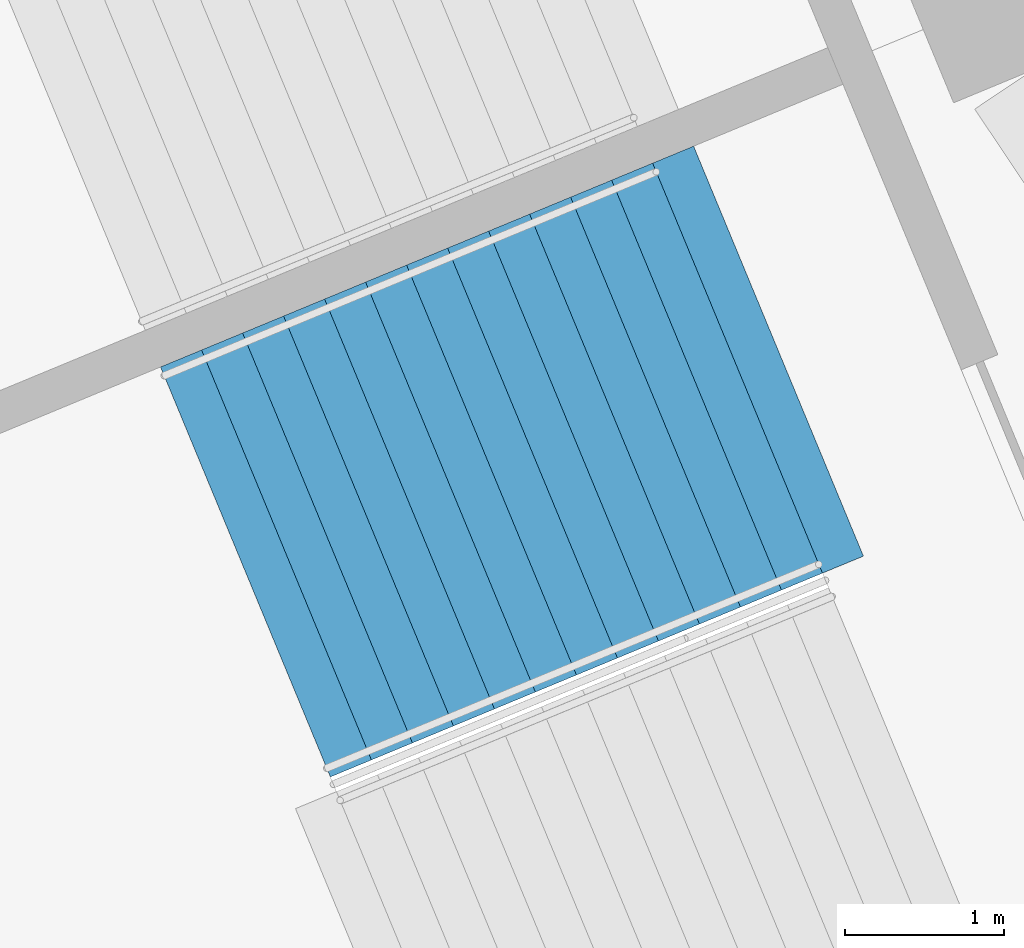
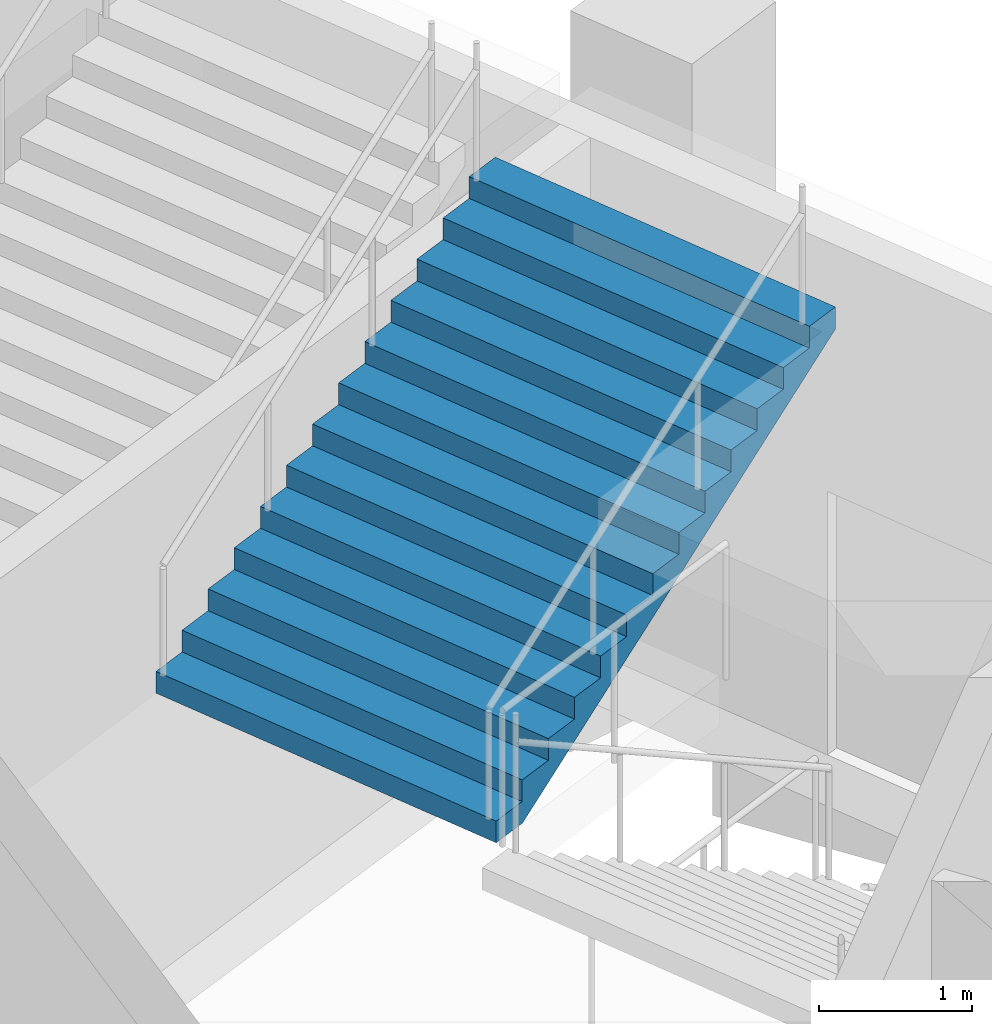
# One storey, part 92 of 177: 1 stair flight, 1 element without a shape of its own.
"""IFC4 building model written with IfcOpenShell, lengths in metres."""

from ifc_helpers import new_model, si_unit, direction, frame, origin, place, context, subcontext, project, spatial, faceted_brep, material, type_object, element, aggregate, save


model = new_model("IFC4")

# Units and contexts
model_context = context("Model", 3, precision=1e-05, world=origin(), true_north=direction((0.0, 1.0)))
body_context = subcontext(model_context, "Body", "Model", "MODEL_VIEW")
ifc_project = project(units=[si_unit("LENGTHUNIT", "METRE"), si_unit("AREAUNIT", "SQUARE_METRE"), si_unit("VOLUMEUNIT", "CUBIC_METRE"), si_unit("PLANEANGLEUNIT", "RADIAN"), si_unit("MASSUNIT", "GRAM", prefix="KILO")], contexts=[model_context])

# Site, building, storey
site_placement = place(None, origin())
site = spatial("IfcSite", under=ifc_project, at=site_placement, CompositionType="ELEMENT")
building_placement = place(site_placement, origin())
building = spatial("IfcBuilding", under=site, at=building_placement, Name="Ogive Plaza Stadium", CompositionType="ELEMENT")
storey_placement = place(building_placement, frame((0.0, 0.0, 18.0)))
storey = spatial("IfcBuildingStorey", under=building, at=storey_placement, Name="L04", CompositionType="ELEMENT", Elevation=18.0)

# Stair, stair flight
ifc_material_1 = material(Name="Concrete C40/50", Category="concrete")
stair_type = type_object("IfcStairType", Name="Exit stair", PredefinedType="STRAIGHT_RUN_STAIR", material=ifc_material_1)
stair_placement = place(storey_placement, origin())
stair = element("IfcStair", 1, at=stair_placement, inside=storey, type_object=stair_type, Name="Exit stair ST20B L04 to L05", PredefinedType="STRAIGHT_RUN_STAIR")
ifc_material_2 = material(Name="Concrete C40/50", Category="concrete")
stair_flight_type = type_object("IfcStairFlightType", Name="Exit stair flight", PredefinedType="STRAIGHT", material=ifc_material_2)
stair_flight_placement = place(storey_placement, frame((-75.64697265625, -71.4013671875, 2.25), z_axis=(0.0, 0.0, 1.0), x_axis=(0.923879532511, 0.382683432365, 0.0)))
stair_flight = element("IfcStairFlight", 2, at=stair_flight_placement, type_object=stair_flight_type, Name="ST20B flight 2", NumberOfRisers=13, NumberOfTreads=12, PredefinedType="STRAIGHT", RiserHeight=0.173076923, TreadLength=0.28, context=body_context, shape_type="Brep", body=[
    faceted_brep([(0.28515625, -1.39990234375, 0.0), (3.639892578125, -1.39990234375, 2.07373046875), (3.639892578125, -1.39990234375, 2.25), (3.360107421875, -1.39990234375, 2.25), (3.360107421875, -1.39990234375, 2.076904296875), (3.080078125, -1.39990234375, 2.076904296875), (3.080078125, -1.39990234375, 1.90380859375), (2.800048828125, -1.39990234375, 1.90380859375), (2.800048828125, -1.39990234375, 1.730712890625), (2.52001953125, -1.39990234375, 1.730712890625), (2.52001953125, -1.39990234375, 1.5576171875), (2.239990234375, -1.39990234375, 1.5576171875), (2.239990234375, -1.39990234375, 1.384521484375), (1.9599609375, -1.39990234375, 1.384521484375), (1.9599609375, -1.39990234375, 1.21142578125), (1.679931640625, -1.39990234375, 1.21142578125), (1.679931640625, -1.39990234375, 1.03857421875), (1.39990234375, -1.39990234375, 1.03857421875), (1.39990234375, -1.39990234375, 0.865478515625), (1.1201171875, -1.39990234375, 0.865478515625), (1.1201171875, -1.39990234375, 0.6923828125), (0.840087890625, -1.39990234375, 0.6923828125), (0.840087890625, -1.39990234375, 0.519287109375), (0.56005859375, -1.39990234375, 0.519287109375), (0.56005859375, -1.39990234375, 0.34619140625), (0.280029296875, -1.39990234375, 0.34619140625), (0.280029296875, -1.39990234375, 0.173095703125), (0.0, -1.39990234375, 0.173095703125), (0.0, -1.39990234375, 0.0), (0.0, 1.39990234375, 0.0), (0.0, 1.39990234375, 0.173095703125), (0.280029296875, 1.39990234375, 0.173095703125), (0.280029296875, 1.39990234375, 0.34619140625), (0.56005859375, 1.39990234375, 0.34619140625), (0.56005859375, 1.39990234375, 0.519287109375), (0.840087890625, 1.39990234375, 0.519287109375), (0.840087890625, 1.39990234375, 0.6923828125), (1.1201171875, 1.39990234375, 0.6923828125), (1.1201171875, 1.39990234375, 0.865478515625), (1.39990234375, 1.39990234375, 0.865478515625), (1.39990234375, 1.39990234375, 1.03857421875), (1.679931640625, 1.39990234375, 1.03857421875), (1.679931640625, 1.39990234375, 1.21142578125), (1.9599609375, 1.39990234375, 1.21142578125), (1.9599609375, 1.39990234375, 1.384521484375), (2.239990234375, 1.39990234375, 1.384521484375), (2.239990234375, 1.39990234375, 1.5576171875), (2.52001953125, 1.39990234375, 1.5576171875), (2.52001953125, 1.39990234375, 1.730712890625), (2.800048828125, 1.39990234375, 1.730712890625), (2.800048828125, 1.39990234375, 1.90380859375), (3.080078125, 1.39990234375, 1.90380859375), (3.080078125, 1.39990234375, 2.076904296875), (3.360107421875, 1.39990234375, 2.076904296875), (3.360107421875, 1.39990234375, 2.25), (3.639892578125, 1.39990234375, 2.25), (3.639892578125, 1.39990234375, 2.07373046875), (0.28515625, 1.39990234375, 0.0), (0.28515625, -1.0888671875, 0.0), (3.639892578125, -1.0888671875, 2.07373046875), (0.28515625, -0.77783203125, 0.0), (3.639892578125, -0.77783203125, 2.07373046875), (0.28515625, -0.466796875, 0.0), (3.639892578125, -0.466796875, 2.07373046875), (0.28515625, -0.155517578125, 0.0), (3.639892578125, -0.155517578125, 2.07373046875), (0.28515625, 0.155517578125, 0.0), (3.639892578125, 0.155517578125, 2.07373046875), (0.28515625, 0.466796875, 0.0), (3.639892578125, 0.466796875, 2.07373046875), (0.28515625, 0.77783203125, 0.0), (3.639892578125, 0.77783203125, 2.07373046875), (0.28515625, 1.0888671875, 0.0), (3.639892578125, 1.0888671875, 2.07373046875), (3.639892578125, -1.0888671875, 2.25), (3.639892578125, -0.77783203125, 2.25), (3.639892578125, -0.466796875, 2.25), (3.639892578125, -0.155517578125, 2.25), (3.639892578125, 0.155517578125, 2.25), (3.639892578125, 0.466796875, 2.25), (3.639892578125, 0.77783203125, 2.25), (3.639892578125, 1.0888671875, 2.25), (3.360107421875, -1.0888671875, 2.25), (3.360107421875, -0.77783203125, 2.25), (3.360107421875, -0.466796875, 2.25), (3.360107421875, -0.155517578125, 2.25), (3.360107421875, 0.155517578125, 2.25), (3.360107421875, 0.466796875, 2.25), (3.360107421875, 0.77783203125, 2.25), (3.360107421875, 1.0888671875, 2.25), (3.360107421875, -1.0888671875, 2.076904296875), (3.360107421875, -0.77783203125, 2.076904296875), (3.360107421875, -0.466796875, 2.076904296875), (3.360107421875, -0.155517578125, 2.076904296875), (3.360107421875, 0.155517578125, 2.076904296875), (3.360107421875, 0.466796875, 2.076904296875), (3.360107421875, 0.77783203125, 2.076904296875), (3.360107421875, 1.0888671875, 2.076904296875), (3.080078125, -1.0888671875, 2.076904296875), (3.080078125, -0.77783203125, 2.076904296875), (3.080078125, -0.466796875, 2.076904296875), (3.080078125, -0.155517578125, 2.076904296875), (3.080078125, 0.155517578125, 2.076904296875), (3.080078125, 0.466796875, 2.076904296875), (3.080078125, 0.77783203125, 2.076904296875), (3.080078125, 1.0888671875, 2.076904296875), (3.080078125, -1.0888671875, 1.90380859375), (3.080078125, -0.77783203125, 1.90380859375), (3.080078125, -0.466796875, 1.90380859375), (3.080078125, -0.155517578125, 1.90380859375), (3.080078125, 0.155517578125, 1.90380859375), (3.080078125, 0.466796875, 1.90380859375), (3.080078125, 0.77783203125, 1.90380859375), (3.080078125, 1.0888671875, 1.90380859375), (2.800048828125, -1.0888671875, 1.90380859375), (2.800048828125, -0.77783203125, 1.90380859375), (2.800048828125, -0.466796875, 1.90380859375), (2.800048828125, -0.155517578125, 1.90380859375), (2.800048828125, 0.155517578125, 1.90380859375), (2.800048828125, 0.466796875, 1.90380859375), (2.800048828125, 0.77783203125, 1.90380859375), (2.800048828125, 1.0888671875, 1.90380859375), (2.800048828125, -1.0888671875, 1.730712890625), (2.800048828125, -0.77783203125, 1.730712890625), (2.800048828125, -0.466796875, 1.730712890625), (2.800048828125, -0.155517578125, 1.730712890625), (2.800048828125, 0.155517578125, 1.730712890625), (2.800048828125, 0.466796875, 1.730712890625), (2.800048828125, 0.77783203125, 1.730712890625), (2.800048828125, 1.0888671875, 1.730712890625), (2.52001953125, -1.0888671875, 1.730712890625), (2.52001953125, -0.77783203125, 1.730712890625), (2.52001953125, -0.466796875, 1.730712890625), (2.52001953125, -0.155517578125, 1.730712890625), (2.52001953125, 0.155517578125, 1.730712890625), (2.52001953125, 0.466796875, 1.730712890625), (2.52001953125, 0.77783203125, 1.730712890625), (2.52001953125, 1.0888671875, 1.730712890625), (2.52001953125, -1.0888671875, 1.5576171875), (2.52001953125, -0.77783203125, 1.5576171875), (2.52001953125, -0.466796875, 1.5576171875), (2.52001953125, -0.155517578125, 1.5576171875), (2.52001953125, 0.155517578125, 1.5576171875), (2.52001953125, 0.466796875, 1.5576171875), (2.52001953125, 0.77783203125, 1.5576171875), (2.52001953125, 1.0888671875, 1.5576171875), (2.239990234375, -1.0888671875, 1.5576171875), (2.239990234375, -0.77783203125, 1.5576171875), (2.239990234375, -0.466796875, 1.5576171875), (2.239990234375, -0.155517578125, 1.5576171875), (2.239990234375, 0.155517578125, 1.5576171875), (2.239990234375, 0.466796875, 1.5576171875), (2.239990234375, 0.77783203125, 1.5576171875), (2.239990234375, 1.0888671875, 1.5576171875), (2.239990234375, -1.0888671875, 1.384521484375), (2.239990234375, -0.77783203125, 1.384521484375), (2.239990234375, -0.466796875, 1.384521484375), (2.239990234375, -0.155517578125, 1.384521484375), (2.239990234375, 0.155517578125, 1.384521484375), (2.239990234375, 0.466796875, 1.384521484375), (2.239990234375, 0.77783203125, 1.384521484375), (2.239990234375, 1.0888671875, 1.384521484375), (1.9599609375, -1.0888671875, 1.384521484375), (1.9599609375, -0.77783203125, 1.384521484375), (1.9599609375, -0.466796875, 1.384521484375), (1.9599609375, -0.155517578125, 1.384521484375), (1.9599609375, 0.155517578125, 1.384521484375), (1.9599609375, 0.466796875, 1.384521484375), (1.9599609375, 0.77783203125, 1.384521484375), (1.9599609375, 1.0888671875, 1.384521484375), (1.9599609375, -1.0888671875, 1.21142578125), (1.9599609375, -0.77783203125, 1.21142578125), (1.9599609375, -0.466796875, 1.21142578125), (1.9599609375, -0.155517578125, 1.21142578125), (1.9599609375, 0.155517578125, 1.21142578125), (1.9599609375, 0.466796875, 1.21142578125), (1.9599609375, 0.77783203125, 1.21142578125), (1.9599609375, 1.0888671875, 1.21142578125), (1.679931640625, -1.0888671875, 1.21142578125), (1.679931640625, -0.77783203125, 1.21142578125), (1.679931640625, -0.466796875, 1.21142578125), (1.679931640625, -0.155517578125, 1.21142578125), (1.679931640625, 0.155517578125, 1.21142578125), (1.679931640625, 0.466796875, 1.21142578125), (1.679931640625, 0.77783203125, 1.21142578125), (1.679931640625, 1.0888671875, 1.21142578125), (1.679931640625, -1.0888671875, 1.03857421875), (1.679931640625, -0.77783203125, 1.03857421875), (1.679931640625, -0.466796875, 1.03857421875), (1.679931640625, -0.155517578125, 1.03857421875), (1.679931640625, 0.155517578125, 1.03857421875), (1.679931640625, 0.466796875, 1.03857421875), (1.679931640625, 0.77783203125, 1.03857421875), (1.679931640625, 1.0888671875, 1.03857421875), (1.39990234375, -1.0888671875, 1.03857421875), (1.39990234375, -0.77783203125, 1.03857421875), (1.39990234375, -0.466796875, 1.03857421875), (1.39990234375, -0.155517578125, 1.03857421875), (1.39990234375, 0.155517578125, 1.03857421875), (1.39990234375, 0.466796875, 1.03857421875), (1.39990234375, 0.77783203125, 1.03857421875), (1.39990234375, 1.0888671875, 1.03857421875), (1.39990234375, -1.0888671875, 0.865478515625), (1.39990234375, -0.77783203125, 0.865478515625), (1.39990234375, -0.466796875, 0.865478515625), (1.39990234375, -0.155517578125, 0.865478515625), (1.39990234375, 0.155517578125, 0.865478515625), (1.39990234375, 0.466796875, 0.865478515625), (1.39990234375, 0.77783203125, 0.865478515625), (1.39990234375, 1.0888671875, 0.865478515625), (1.1201171875, -1.0888671875, 0.865478515625), (1.1201171875, -0.77783203125, 0.865478515625), (1.1201171875, -0.466796875, 0.865478515625), (1.1201171875, -0.155517578125, 0.865478515625), (1.1201171875, 0.155517578125, 0.865478515625), (1.1201171875, 0.466796875, 0.865478515625), (1.1201171875, 0.77783203125, 0.865478515625), (1.1201171875, 1.0888671875, 0.865478515625), (1.1201171875, -1.0888671875, 0.6923828125), (1.1201171875, -0.77783203125, 0.6923828125), (1.1201171875, -0.466796875, 0.6923828125), (1.1201171875, -0.155517578125, 0.6923828125), (1.1201171875, 0.155517578125, 0.6923828125), (1.1201171875, 0.466796875, 0.6923828125), (1.1201171875, 0.77783203125, 0.6923828125), (1.1201171875, 1.0888671875, 0.6923828125), (0.840087890625, -1.0888671875, 0.6923828125), (0.840087890625, -0.77783203125, 0.6923828125), (0.840087890625, -0.466796875, 0.6923828125), (0.840087890625, -0.155517578125, 0.6923828125), (0.840087890625, 0.155517578125, 0.6923828125), (0.840087890625, 0.466796875, 0.6923828125), (0.840087890625, 0.77783203125, 0.6923828125), (0.840087890625, 1.0888671875, 0.6923828125), (0.840087890625, -1.0888671875, 0.519287109375), (0.840087890625, -0.77783203125, 0.519287109375), (0.840087890625, -0.466796875, 0.519287109375), (0.840087890625, -0.155517578125, 0.519287109375), (0.840087890625, 0.155517578125, 0.519287109375), (0.840087890625, 0.466796875, 0.519287109375), (0.840087890625, 0.77783203125, 0.519287109375), (0.840087890625, 1.0888671875, 0.519287109375), (0.56005859375, -1.0888671875, 0.519287109375), (0.56005859375, -0.77783203125, 0.519287109375), (0.56005859375, -0.466796875, 0.519287109375), (0.56005859375, -0.155517578125, 0.519287109375), (0.56005859375, 0.155517578125, 0.519287109375), (0.56005859375, 0.466796875, 0.519287109375), (0.56005859375, 0.77783203125, 0.519287109375), (0.56005859375, 1.0888671875, 0.519287109375), (0.56005859375, -1.0888671875, 0.34619140625), (0.56005859375, -0.77783203125, 0.34619140625), (0.56005859375, -0.466796875, 0.34619140625), (0.56005859375, -0.155517578125, 0.34619140625), (0.56005859375, 0.155517578125, 0.34619140625), (0.56005859375, 0.466796875, 0.34619140625), (0.56005859375, 0.77783203125, 0.34619140625), (0.56005859375, 1.0888671875, 0.34619140625), (0.280029296875, -1.0888671875, 0.34619140625), (0.280029296875, -0.77783203125, 0.34619140625), (0.280029296875, -0.466796875, 0.34619140625), (0.280029296875, -0.155517578125, 0.34619140625), (0.280029296875, 0.155517578125, 0.34619140625), (0.280029296875, 0.466796875, 0.34619140625), (0.280029296875, 0.77783203125, 0.34619140625), (0.280029296875, 1.0888671875, 0.34619140625), (0.280029296875, -1.0888671875, 0.173095703125), (0.280029296875, -0.77783203125, 0.173095703125), (0.280029296875, -0.466796875, 0.173095703125), (0.280029296875, -0.155517578125, 0.173095703125), (0.280029296875, 0.155517578125, 0.173095703125), (0.280029296875, 0.466796875, 0.173095703125), (0.280029296875, 0.77783203125, 0.173095703125), (0.280029296875, 1.0888671875, 0.173095703125), (0.0, -1.0888671875, 0.173095703125), (0.0, -0.77783203125, 0.173095703125), (0.0, -0.466796875, 0.173095703125), (0.0, -0.155517578125, 0.173095703125), (0.0, 0.155517578125, 0.173095703125), (0.0, 0.466796875, 0.173095703125), (0.0, 0.77783203125, 0.173095703125), (0.0, 1.0888671875, 0.173095703125), (0.0, -1.0888671875, 0.0), (0.0, -0.77783203125, 0.0), (0.0, -0.466796875, 0.0), (0.0, -0.155517578125, 0.0), (0.0, 0.155517578125, 0.0), (0.0, 0.466796875, 0.0), (0.0, 0.77783203125, 0.0), (0.0, 1.0888671875, 0.0)], [[[0, 1, 2, 3, 4, 5, 6, 7, 8, 9, 10, 11, 12, 13, 14, 15, 16, 17, 18, 19, 20, 21, 22, 23, 24, 25, 26, 27, 28]], [[29, 30, 31, 32, 33, 34, 35, 36, 37, 38, 39, 40, 41, 42, 43, 44, 45, 46, 47, 48, 49, 50, 51, 52, 53, 54, 55, 56, 57]], [[0, 58, 59, 1]], [[58, 60, 61, 59]], [[60, 62, 63, 61]], [[62, 64, 65, 63]], [[64, 66, 67, 65]], [[66, 68, 69, 67]], [[68, 70, 71, 69]], [[70, 72, 73, 71]], [[72, 57, 56, 73]], [[1, 59, 74, 2]], [[59, 61, 75, 74]], [[61, 63, 76, 75]], [[63, 65, 77, 76]], [[65, 67, 78, 77]], [[67, 69, 79, 78]], [[69, 71, 80, 79]], [[71, 73, 81, 80]], [[73, 56, 55, 81]], [[2, 74, 82, 3]], [[74, 75, 83, 82]], [[75, 76, 84, 83]], [[76, 77, 85, 84]], [[77, 78, 86, 85]], [[78, 79, 87, 86]], [[79, 80, 88, 87]], [[80, 81, 89, 88]], [[81, 55, 54, 89]], [[3, 82, 90, 4]], [[82, 83, 91, 90]], [[83, 84, 92, 91]], [[84, 85, 93, 92]], [[85, 86, 94, 93]], [[86, 87, 95, 94]], [[87, 88, 96, 95]], [[88, 89, 97, 96]], [[89, 54, 53, 97]], [[4, 90, 98, 5]], [[90, 91, 99, 98]], [[91, 92, 100, 99]], [[92, 93, 101, 100]], [[93, 94, 102, 101]], [[94, 95, 103, 102]], [[95, 96, 104, 103]], [[96, 97, 105, 104]], [[97, 53, 52, 105]], [[5, 98, 106, 6]], [[98, 99, 107, 106]], [[99, 100, 108, 107]], [[100, 101, 109, 108]], [[101, 102, 110, 109]], [[102, 103, 111, 110]], [[103, 104, 112, 111]], [[104, 105, 113, 112]], [[105, 52, 51, 113]], [[6, 106, 114, 7]], [[106, 107, 115, 114]], [[107, 108, 116, 115]], [[108, 109, 117, 116]], [[109, 110, 118, 117]], [[110, 111, 119, 118]], [[111, 112, 120, 119]], [[112, 113, 121, 120]], [[113, 51, 50, 121]], [[7, 114, 122, 8]], [[114, 115, 123, 122]], [[115, 116, 124, 123]], [[116, 117, 125, 124]], [[117, 118, 126, 125]], [[118, 119, 127, 126]], [[119, 120, 128, 127]], [[120, 121, 129, 128]], [[121, 50, 49, 129]], [[8, 122, 130, 9]], [[122, 123, 131, 130]], [[123, 124, 132, 131]], [[124, 125, 133, 132]], [[125, 126, 134, 133]], [[126, 127, 135, 134]], [[127, 128, 136, 135]], [[128, 129, 137, 136]], [[129, 49, 48, 137]], [[9, 130, 138, 10]], [[130, 131, 139, 138]], [[131, 132, 140, 139]], [[132, 133, 141, 140]], [[133, 134, 142, 141]], [[134, 135, 143, 142]], [[135, 136, 144, 143]], [[136, 137, 145, 144]], [[137, 48, 47, 145]], [[10, 138, 146, 11]], [[138, 139, 147, 146]], [[139, 140, 148, 147]], [[140, 141, 149, 148]], [[141, 142, 150, 149]], [[142, 143, 151, 150]], [[143, 144, 152, 151]], [[144, 145, 153, 152]], [[145, 47, 46, 153]], [[11, 146, 154, 12]], [[146, 147, 155, 154]], [[147, 148, 156, 155]], [[148, 149, 157, 156]], [[149, 150, 158, 157]], [[150, 151, 159, 158]], [[151, 152, 160, 159]], [[152, 153, 161, 160]], [[153, 46, 45, 161]], [[12, 154, 162, 13]], [[154, 155, 163, 162]], [[155, 156, 164, 163]], [[156, 157, 165, 164]], [[157, 158, 166, 165]], [[158, 159, 167, 166]], [[159, 160, 168, 167]], [[160, 161, 169, 168]], [[161, 45, 44, 169]], [[13, 162, 170, 14]], [[162, 163, 171, 170]], [[163, 164, 172, 171]], [[164, 165, 173, 172]], [[165, 166, 174, 173]], [[166, 167, 175, 174]], [[167, 168, 176, 175]], [[168, 169, 177, 176]], [[169, 44, 43, 177]], [[14, 170, 178, 15]], [[170, 171, 179, 178]], [[171, 172, 180, 179]], [[172, 173, 181, 180]], [[173, 174, 182, 181]], [[174, 175, 183, 182]], [[175, 176, 184, 183]], [[176, 177, 185, 184]], [[177, 43, 42, 185]], [[15, 178, 186, 16]], [[178, 179, 187, 186]], [[179, 180, 188, 187]], [[180, 181, 189, 188]], [[181, 182, 190, 189]], [[182, 183, 191, 190]], [[183, 184, 192, 191]], [[184, 185, 193, 192]], [[185, 42, 41, 193]], [[16, 186, 194, 17]], [[186, 187, 195, 194]], [[187, 188, 196, 195]], [[188, 189, 197, 196]], [[189, 190, 198, 197]], [[190, 191, 199, 198]], [[191, 192, 200, 199]], [[192, 193, 201, 200]], [[193, 41, 40, 201]], [[17, 194, 202, 18]], [[194, 195, 203, 202]], [[195, 196, 204, 203]], [[196, 197, 205, 204]], [[197, 198, 206, 205]], [[198, 199, 207, 206]], [[199, 200, 208, 207]], [[200, 201, 209, 208]], [[201, 40, 39, 209]], [[18, 202, 210, 19]], [[202, 203, 211, 210]], [[203, 204, 212, 211]], [[204, 205, 213, 212]], [[205, 206, 214, 213]], [[206, 207, 215, 214]], [[207, 208, 216, 215]], [[208, 209, 217, 216]], [[209, 39, 38, 217]], [[19, 210, 218, 20]], [[210, 211, 219, 218]], [[211, 212, 220, 219]], [[212, 213, 221, 220]], [[213, 214, 222, 221]], [[214, 215, 223, 222]], [[215, 216, 224, 223]], [[216, 217, 225, 224]], [[217, 38, 37, 225]], [[20, 218, 226, 21]], [[218, 219, 227, 226]], [[219, 220, 228, 227]], [[220, 221, 229, 228]], [[221, 222, 230, 229]], [[222, 223, 231, 230]], [[223, 224, 232, 231]], [[224, 225, 233, 232]], [[225, 37, 36, 233]], [[21, 226, 234, 22]], [[226, 227, 235, 234]], [[227, 228, 236, 235]], [[228, 229, 237, 236]], [[229, 230, 238, 237]], [[230, 231, 239, 238]], [[231, 232, 240, 239]], [[232, 233, 241, 240]], [[233, 36, 35, 241]], [[22, 234, 242, 23]], [[234, 235, 243, 242]], [[235, 236, 244, 243]], [[236, 237, 245, 244]], [[237, 238, 246, 245]], [[238, 239, 247, 246]], [[239, 240, 248, 247]], [[240, 241, 249, 248]], [[241, 35, 34, 249]], [[23, 242, 250, 24]], [[242, 243, 251, 250]], [[243, 244, 252, 251]], [[244, 245, 253, 252]], [[245, 246, 254, 253]], [[246, 247, 255, 254]], [[247, 248, 256, 255]], [[248, 249, 257, 256]], [[249, 34, 33, 257]], [[24, 250, 258, 25]], [[250, 251, 259, 258]], [[251, 252, 260, 259]], [[252, 253, 261, 260]], [[253, 254, 262, 261]], [[254, 255, 263, 262]], [[255, 256, 264, 263]], [[256, 257, 265, 264]], [[257, 33, 32, 265]], [[25, 258, 266, 26]], [[258, 259, 267, 266]], [[259, 260, 268, 267]], [[260, 261, 269, 268]], [[261, 262, 270, 269]], [[262, 263, 271, 270]], [[263, 264, 272, 271]], [[264, 265, 273, 272]], [[265, 32, 31, 273]], [[26, 266, 274, 27]], [[266, 267, 275, 274]], [[267, 268, 276, 275]], [[268, 269, 277, 276]], [[269, 270, 278, 277]], [[270, 271, 279, 278]], [[271, 272, 280, 279]], [[272, 273, 281, 280]], [[273, 31, 30, 281]], [[27, 274, 282, 28]], [[274, 275, 283, 282]], [[275, 276, 284, 283]], [[276, 277, 285, 284]], [[277, 278, 286, 285]], [[278, 279, 287, 286]], [[279, 280, 288, 287]], [[280, 281, 289, 288]], [[281, 30, 29, 289]], [[28, 282, 58, 0]], [[282, 283, 60, 58]], [[283, 284, 62, 60]], [[284, 285, 64, 62]], [[285, 286, 66, 64]], [[286, 287, 68, 66]], [[287, 288, 70, 68]], [[288, 289, 72, 70]], [[289, 29, 57, 72]]]),
])
aggregate(stair, [stair_flight])

save(model, "model.ifc")
